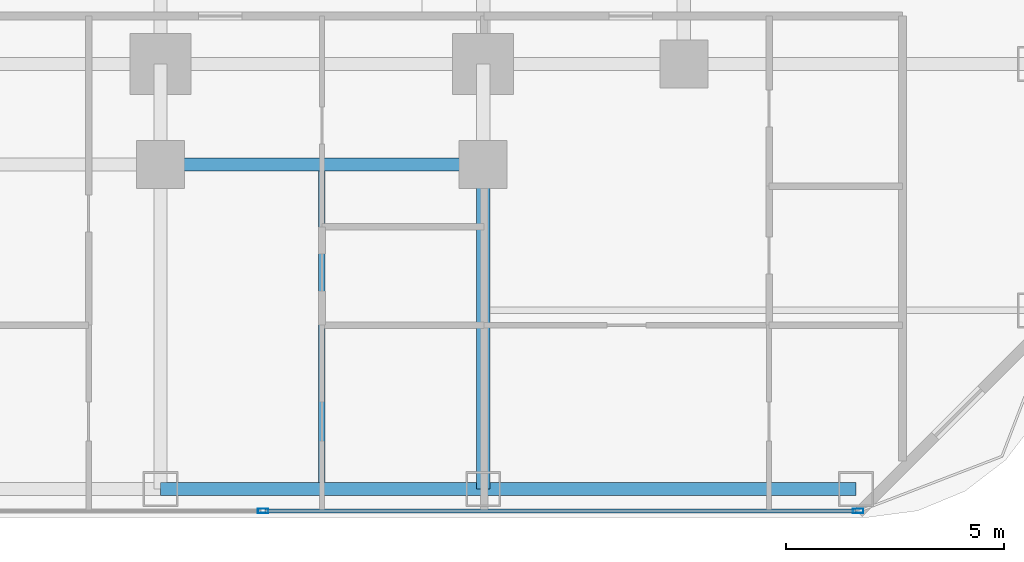
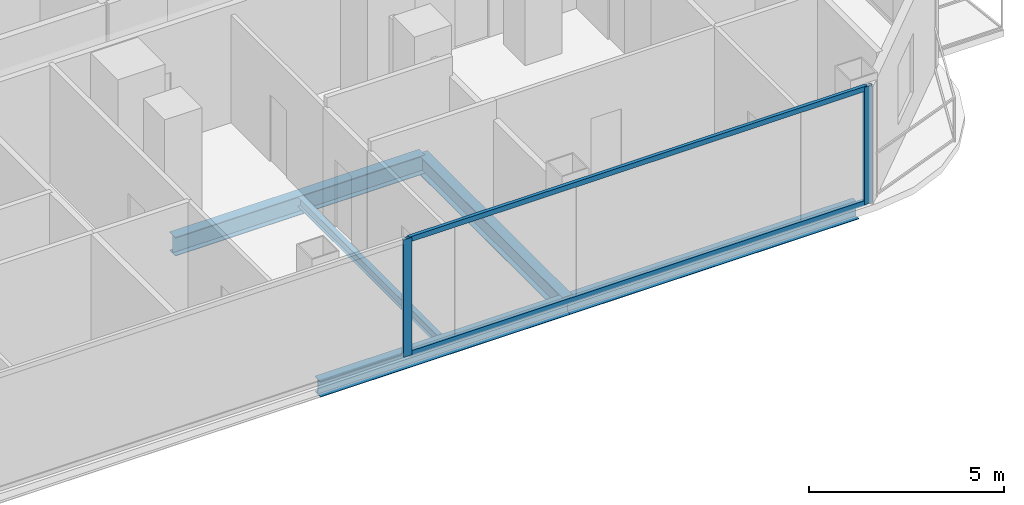
# One storey, part 8 of 28: 5 beams, 4 members, 1 element without a shape of its own.
"""IFC4 building model written with IfcOpenShell, lengths in metres."""

from ifc_helpers import new_model, si_unit, direction, frame, origin, origin_2d, place, context, subcontext, project, spatial, hollow_rectangle, i_section, extrude, material, layer, layer_set, material_profile, profile_set, type_object, element, aggregate, save


model = new_model("IFC4")

# Units and contexts
model_context = context("Model", 3, precision=1e-05, world=origin(), true_north=direction((0.0, 1.0)))
body_context = subcontext(model_context, "Body", "Model", "MODEL_VIEW")
ifc_project = project(units=[si_unit("LENGTHUNIT", "METRE"), si_unit("AREAUNIT", "SQUARE_METRE"), si_unit("VOLUMEUNIT", "CUBIC_METRE"), si_unit("PLANEANGLEUNIT", "RADIAN"), si_unit("MASSUNIT", "GRAM", prefix="KILO")], contexts=[model_context])

# Site, building, storey
site_placement = place(None, origin())
site = spatial("IfcSite", under=ifc_project, at=site_placement, CompositionType="ELEMENT")
building_placement = place(site_placement, origin())
building = spatial("IfcBuilding", under=site, at=building_placement, Name="Khorvyn Point Tower", CompositionType="ELEMENT")
storey_placement = place(building_placement, frame((0.0, 0.0, 34.5)))
storey = spatial("IfcBuildingStorey", under=building, at=storey_placement, Name="L09", CompositionType="ELEMENT", Elevation=34.5)

# Curtain wall, members
ifc_material_1 = material(Name="Anodised aluminium 6063-T6 and laminated Low-E glass", Category="aluminium")
ifc_layer = layer(ifc_material_1, 0.18994140625)
ifc_layer_set = layer_set([ifc_layer], Name="Stick-Built Finned Residential Curtain Wall CW-SYS-02")
curtain_wall_type = type_object("IfcCurtainWallType", Name="Stick-Built Finned Residential Curtain Wall CW-SYS-02", PredefinedType="NOTDEFINED", material=ifc_layer_set)
curtain_wall_placement = place(storey_placement, origin())
curtain_wall = element("IfcCurtainWall", 1, at=curtain_wall_placement, inside=storey, type_object=curtain_wall_type, Name="Curtain Wall", PredefinedType="NOTDEFINED")
ifc_material_2 = material(Name="Anodised aluminium 6063-T6", Category="aluminium")
ifc_material_profile_1 = material_profile(ifc_material_2, hollow_rectangle(XDim=0.10009765625, YDim=0.239990234375, WallThickness=0.0048828125, at=origin_2d()))
ifc_profile_set_1 = profile_set([ifc_material_profile_1], Name="Anodised aluminium 6063-T6 ALU-MUL-100x240")
member_type_1 = type_object("IfcMemberType", Name="Anodised Aluminium 6063-T6 Mullion ALU-MUL-100x240", PredefinedType="MULLION", material=ifc_profile_set_1)
member_1_placement = place(storey_placement, frame((23.39990234375, -25.050048828125, 0.0), z_axis=(0.0, 0.0, 1.0), x_axis=(0.0, -1.0, 0.0)))
member_1 = element("IfcMember", 2, at=member_1_placement, type_object=member_type_1, Name="Transom", PredefinedType="MULLION", context=body_context, shape_type="SweptSolid", body=[
    extrude(hollow_rectangle(XDim=0.10009765625, YDim=0.239990234375, WallThickness=0.0048828125, at=origin_2d()), origin(), (0.0, 0.0, 1.0), 3.679931640625),
])
member_2_placement = place(storey_placement, frame((9.75, -25.050048828125, 0.0), z_axis=(0.0, 0.0, 1.0), x_axis=(0.0, -1.0, 0.0)))
member_2 = element("IfcMember", 3, at=member_2_placement, type_object=member_type_1, Name="Transom", PredefinedType="MULLION", context=body_context, shape_type="SweptSolid", body=[
    extrude(hollow_rectangle(XDim=0.10009765625, YDim=0.239990234375, WallThickness=0.0048828125, at=origin_2d()), origin(), (0.0, 0.0, 1.0), 3.679931640625),
])
ifc_material_profile_2 = material_profile(ifc_material_2, hollow_rectangle(XDim=0.10009765625, YDim=0.159912109375, WallThickness=0.00439453125, at=origin_2d()))
ifc_profile_set_2 = profile_set([ifc_material_profile_2], Name="Anodised aluminium 6063-T6 ALU-TRN-100x160")
member_type_2 = type_object("IfcMemberType", Name="Anodised Aluminium 6063-T6 Transom ALU-TRN-100x160", PredefinedType="USERDEFINED", material=ifc_profile_set_2)
member_3_placement = place(storey_placement, frame((23.35009765625, -25.050048828125, 0.050048828125), z_axis=(-1.0, 0.0, 0.0), x_axis=(0.0, -1.0, 0.0)))
member_3 = element("IfcMember", 4, at=member_3_placement, type_object=member_type_2, Name="Transom", ObjectType="TRANSOM", PredefinedType="USERDEFINED", context=body_context, shape_type="SweptSolid", body=[
    extrude(hollow_rectangle(XDim=0.10009765625, YDim=0.159912109375, WallThickness=0.00439453125, at=origin_2d()), origin(), (0.0, 0.0, 1.0), 13.550048828125),
])
member_4_placement = place(storey_placement, frame((23.35009765625, -25.050048828125, 3.6298828125), z_axis=(-1.0, 0.0, 0.0), x_axis=(0.0, -1.0, 0.0)))
member_4 = element("IfcMember", 5, at=member_4_placement, type_object=member_type_2, Name="Transom", ObjectType="TRANSOM", PredefinedType="USERDEFINED", context=body_context, shape_type="SweptSolid", body=[
    extrude(hollow_rectangle(XDim=0.10009765625, YDim=0.159912109375, WallThickness=0.00439453125, at=origin_2d()), origin(), (0.0, 0.0, 1.0), 13.550048828125),
])
aggregate(curtain_wall, [member_1, member_2, member_3, member_4])

# Beams
ifc_material_3 = material(Name="Steel S355", Category="steel")
ifc_material_profile_3 = material_profile(ifc_material_3, i_section(OverallWidth=0.300048828125, OverallDepth=0.587890625, WebThickness=0.011962890625, FlangeThickness=0.02001953125, at=origin_2d()))
ifc_profile_set_3 = profile_set([ifc_material_profile_3], Name="Steel S355 H588x300x12x20")
beam_type_1 = type_object("IfcBeamType", Name="Steel S355 Beam H588x300x12x20", PredefinedType="BEAM", material=ifc_profile_set_3)
beam_1_placement = place(storey_placement, frame((7.39990234375, -17.10009765625, -0.513916015625), z_axis=(1.0, 0.0, 0.0), x_axis=(0.0, 1.0, 0.0)))
element("IfcBeam", 6, at=beam_1_placement, inside=storey, type_object=beam_type_1, Name="Beam", PredefinedType="BEAM", context=body_context, shape_type="SweptSolid", body=[
    extrude(i_section(OverallWidth=0.300048828125, OverallDepth=0.587890625, WebThickness=0.011962890625, FlangeThickness=0.02001953125, at=origin_2d()), origin(), (0.0, 0.0, 1.0), 7.400146484375),
])
beam_2_placement = place(storey_placement, frame((14.800048828125, -24.550048828125, -0.513916015625), z_axis=(0.0, 1.0, 0.0), x_axis=(-1.0, 0.0, 0.0)))
element("IfcBeam", 7, at=beam_2_placement, inside=storey, type_object=beam_type_1, Name="Beam", PredefinedType="BEAM", context=body_context, shape_type="SweptSolid", body=[
    extrude(i_section(OverallWidth=0.300048828125, OverallDepth=0.587890625, WebThickness=0.011962890625, FlangeThickness=0.02001953125, at=origin_2d()), origin(), (0.0, 0.0, 1.0), 7.449951171875),
])
ifc_material_profile_4 = material_profile(ifc_material_3, i_section(OverallWidth=0.14990234375, OverallDepth=0.300048828125, WebThickness=0.006591796875, FlangeThickness=0.009033203125, at=origin_2d()))
ifc_profile_set_4 = profile_set([ifc_material_profile_4], Name="Steel S355 H300x150x6.5x9")
beam_type_2 = type_object("IfcBeamType", Name="Steel S355 Joist H300x150x6.5x9", PredefinedType="JOIST", material=ifc_profile_set_4)
beam_3_placement = place(storey_placement, frame((11.10009765625, -24.39990234375, -0.3701171875), z_axis=(0.0, 1.0, 0.0), x_axis=(-1.0, 0.0, 0.0)))
element("IfcBeam", 8, at=beam_3_placement, inside=storey, type_object=beam_type_2, Name="Beam", PredefinedType="JOIST", context=body_context, shape_type="SweptSolid", body=[
    extrude(i_section(OverallWidth=0.14990234375, OverallDepth=0.300048828125, WebThickness=0.006591796875, FlangeThickness=0.009033203125, at=origin_2d()), origin(), (0.0, 0.0, 1.0), 7.14990234375),
])
ifc_material_profile_5 = material_profile(ifc_material_3, i_section(OverallWidth=0.300048828125, OverallDepth=0.488037109375, WebThickness=0.010986328125, FlangeThickness=0.01806640625, at=origin_2d()))
ifc_profile_set_5 = profile_set([ifc_material_profile_5], Name="Steel S355 H488x300x11x18")
beam_type_3 = type_object("IfcBeamType", Name="Steel S355 Spandrel H488x300x11x18", PredefinedType="SPANDREL", material=ifc_profile_set_5)
beam_4_placement = place(storey_placement, frame((7.39990234375, -24.550048828125, -0.464111328125), z_axis=(1.0, 0.0, 0.0), x_axis=(0.0, 1.0, 0.0)))
element("IfcBeam", 9, at=beam_4_placement, inside=storey, type_object=beam_type_3, Name="Beam", PredefinedType="SPANDREL", context=body_context, shape_type="SweptSolid", body=[
    extrude(i_section(OverallWidth=0.300048828125, OverallDepth=0.488037109375, WebThickness=0.010986328125, FlangeThickness=0.01806640625, at=origin_2d()), origin(), (0.0, 0.0, 1.0), 7.400146484375),
])
beam_5_placement = place(storey_placement, frame((14.800048828125, -24.550048828125, -0.464111328125), z_axis=(1.0, 0.0, 0.0), x_axis=(0.0, 1.0, 0.0)))
element("IfcBeam", 10, at=beam_5_placement, inside=storey, type_object=beam_type_3, Name="Beam", PredefinedType="SPANDREL", context=body_context, shape_type="SweptSolid", body=[
    extrude(i_section(OverallWidth=0.300048828125, OverallDepth=0.488037109375, WebThickness=0.010986328125, FlangeThickness=0.01806640625, at=origin_2d()), origin(), (0.0, 0.0, 1.0), 8.550048828125),
])

save(model, "model.ifc")
